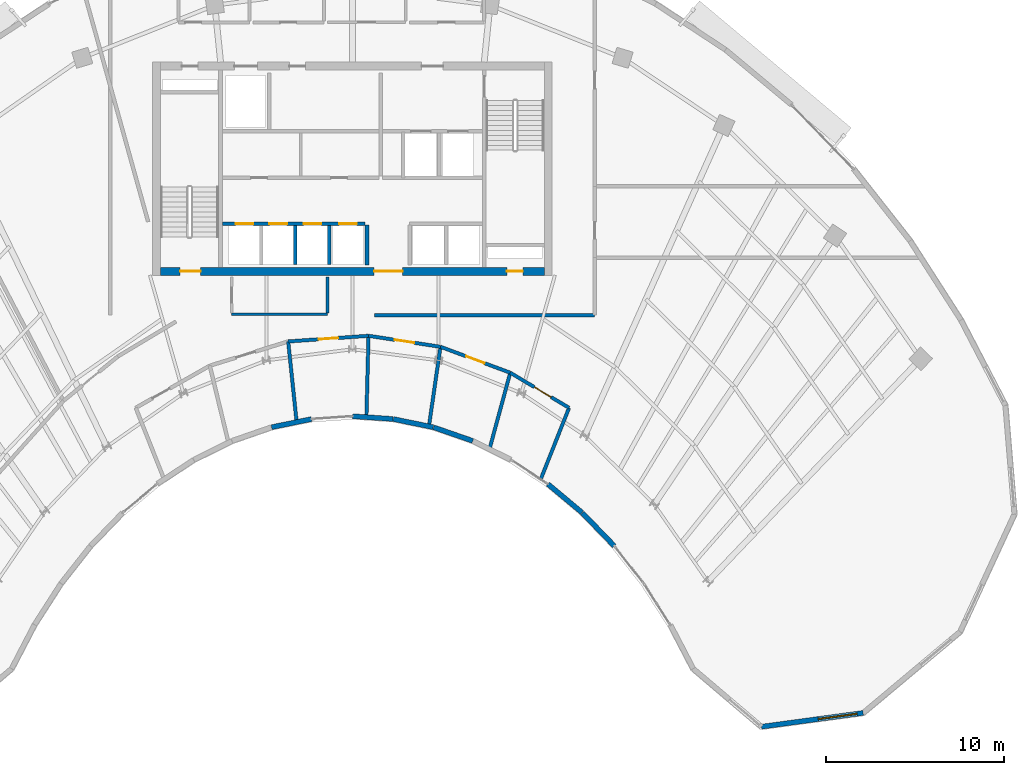
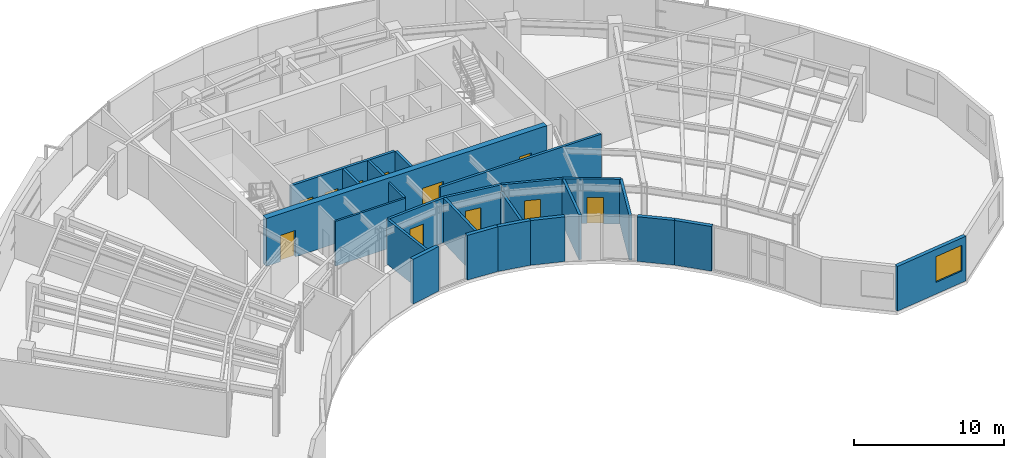
# One storey, part 9 of 14: 24 walls, 11 doors, 1 window, 12 openings.
"""IFC4 building model written with IfcOpenShell, lengths in metres."""

from ifc_helpers import new_model, si_unit, direction, frame, frame_2d, origin, place, context, subcontext, project, spatial, rectangle, extrude, source, transform, mapped, material, layer, layer_set, type_object, type_shapes, element, fill, save


model = new_model("IFC4")

# Units and contexts
model_context = context("Model", 3, precision=1e-05, world=origin(), true_north=direction((0.0, 1.0)))
body_context = subcontext(model_context, "Body", "Model", "MODEL_VIEW")
ifc_project = project(units=[si_unit("LENGTHUNIT", "METRE"), si_unit("AREAUNIT", "SQUARE_METRE"), si_unit("VOLUMEUNIT", "CUBIC_METRE"), si_unit("PLANEANGLEUNIT", "RADIAN"), si_unit("MASSUNIT", "GRAM", prefix="KILO")], contexts=[model_context])

# Site, building, storey
site_placement = place(None, origin())
site = spatial("IfcSite", under=ifc_project, at=site_placement, CompositionType="ELEMENT")
building_placement = place(site_placement, origin())
building = spatial("IfcBuilding", under=site, at=building_placement, Name="Breltana Convention Tower", CompositionType="ELEMENT")
storey_placement = place(building_placement, frame((0.0, 0.0, 219.60009765625)))
storey = spatial("IfcBuildingStorey", under=building, at=storey_placement, Name="L53", CompositionType="ELEMENT", Elevation=219.60009765625)

# Wall, openings, doors
ifc_material_1 = material(Name="Concrete C60/75", Category="concrete")
ifc_layer_1 = layer(ifc_material_1, 0.449951171875, Name="Concrete C60/75")
ifc_layer_set_1 = layer_set([ifc_layer_1], Name="Concrete C60/75")
wall_type_1 = type_object("IfcWallType", Name="SW-CORE-450", PredefinedType="SHEAR", material=ifc_layer_set_1)
shared_shape_1 = source(origin(), body_context, "Body", "SweptSolid", [
    extrude(rectangle(XDim=21.60009765625, YDim=0.449951171875, at=frame_2d((10.800048828125, 0.0))), origin(), (0.0, 0.0, 1.0), 3.89990234375),
])
wall_1_placement = place(storey_placement, frame((37.199951171875, 60.425048828125, 0.0), z_axis=(0.0, 0.0, 1.0), x_axis=(1.0, 0.0, 0.0)))
wall_1 = element("IfcWall", 1, at=wall_1_placement, inside=storey, type_object=wall_type_1, Name="L53 South Core Shear Wall", PredefinedType="SHEAR", context=body_context, shape_type="MappedRepresentation", body=[
    mapped(shared_shape_1, transform((0.0, 0.0, 0.0), scale=1.0)),
])
opening_1_placement = place(wall_1_placement, frame((1.10009765625, 0.0, 0.0)))
opening_1 = element("IfcOpeningElement", 2, at=opening_1_placement, cuts=wall_1, Name="Opening D-11", PredefinedType="OPENING", context=body_context, shape_type="SweptSolid", body=[
    extrude(rectangle(XDim=1.14990234375, YDim=2.14990234375, at=frame_2d((0.574951171875, 1.074951171875))), frame((0.0, 0.23486328125, 0.0), z_axis=(0.0, -1.0, 0.0), x_axis=(1.0, 0.0, 0.0)), (0.0, 0.0, 1.0), 0.469970703125),
])
opening_2_placement = place(wall_1_placement, frame((19.5, 0.0, 0.0)))
opening_2 = element("IfcOpeningElement", 3, at=opening_2_placement, cuts=wall_1, Name="Opening D-18", PredefinedType="OPENING", context=body_context, shape_type="SweptSolid", body=[
    extrude(rectangle(XDim=0.89990234375, YDim=2.10009765625, at=frame_2d((0.449951171875, 1.050048828125))), frame((0.0, 0.23486328125, 0.0), z_axis=(0.0, -1.0, 0.0), x_axis=(1.0, 0.0, 0.0)), (0.0, 0.0, 1.0), 0.469970703125),
])
opening_3_placement = place(wall_1_placement, frame((12.02001953125, 0.0, 0.0)))
opening_3 = element("IfcOpeningElement", 4, at=opening_3_placement, cuts=wall_1, Name="Opening D-02", PredefinedType="OPENING", context=body_context, shape_type="SweptSolid", body=[
    extrude(rectangle(XDim=1.60009765625, YDim=2.14990234375, at=frame_2d((0.800048828125, 1.074951171875))), frame((0.0, 0.23486328125, 0.0), z_axis=(0.0, -1.0, 0.0), x_axis=(1.0, 0.0, 0.0)), (0.0, 0.0, 1.0), 0.469970703125),
])
ifc_material_2 = material(Name="Steel Stair Exit Door", Category="steel")
door_type_1 = type_object("IfcDoorType", Name="DR-FD120-1150", OperationType="NOTDEFINED", PredefinedType="DOOR", material=ifc_material_2)
shared_shape_2 = source(origin(), body_context, "Body", "SweptSolid", [
    extrude(rectangle(XDim=1.14990234375, YDim=2.14990234375, at=frame_2d((0.574951171875, 1.074951171875))), frame((0.0, 0.02490234375, 0.0), z_axis=(0.0, -1.0, 0.0), x_axis=(1.0, 0.0, 0.0)), (0.0, 0.0, 1.0), 0.050048828125),
])
type_shapes(door_type_1, [shared_shape_2])
door_1_placement = place(opening_1_placement, origin())
door_1 = element("IfcDoor", 5, at=door_1_placement, inside=storey, type_object=door_type_1, Name="L53 interior door D-L53-ST1", OperationType="SINGLE_SWING_LEFT", OverallHeight=2.14990234375, OverallWidth=1.14990234375, PredefinedType="DOOR", context=body_context, shape_type="MappedRepresentation", body=[
    mapped(shared_shape_2, transform((0.0, 0.0, 0.0), scale=1.0)),
])
fill(opening_1, door_1)
ifc_material_3 = material(Name="Steel Riser Fire Door", Category="steel")
door_type_2 = type_object("IfcDoorType", Name="DR-FD60-900", OperationType="NOTDEFINED", PredefinedType="DOOR", material=ifc_material_3)
shared_shape_3 = source(origin(), body_context, "Body", "SweptSolid", [
    extrude(rectangle(XDim=0.89990234375, YDim=2.10009765625, at=frame_2d((0.449951171875, 1.050048828125))), frame((0.0, 0.02490234375, 0.0), z_axis=(0.0, -1.0, 0.0), x_axis=(1.0, 0.0, 0.0)), (0.0, 0.0, 1.0), 0.050048828125),
])
type_shapes(door_type_2, [shared_shape_3])
door_2_placement = place(opening_2_placement, origin())
door_2 = element("IfcDoor", 6, at=door_2_placement, inside=storey, type_object=door_type_2, Name="L53 Core Riser Access Door D-L53-RS2", OperationType="SINGLE_SWING_RIGHT", OverallHeight=2.10009765625, OverallWidth=0.89990234375, PredefinedType="DOOR", context=body_context, shape_type="MappedRepresentation", body=[
    mapped(shared_shape_3, transform((0.0, 0.0, 0.0), scale=1.0)),
])
fill(opening_2, door_2)
ifc_material_4 = material(Name="Steel Glazed Smoke-Control Door", Category="steel")
door_type_3 = type_object("IfcDoorType", Name="DR-DBL-FD90-1600", OperationType="DOUBLE_DOOR_SINGLE_SWING", PredefinedType="DOOR", material=ifc_material_4)
shared_shape_4 = source(origin(), body_context, "Body", "SweptSolid", [
    extrude(rectangle(XDim=1.60009765625, YDim=2.14990234375, at=frame_2d((0.800048828125, 1.074951171875))), frame((0.0, 0.02490234375, 0.0), z_axis=(0.0, -1.0, 0.0), x_axis=(1.0, 0.0, 0.0)), (0.0, 0.0, 1.0), 0.050048828125),
])
type_shapes(door_type_3, [shared_shape_4])
door_3_placement = place(opening_3_placement, origin())
door_3 = element("IfcDoor", 7, at=door_3_placement, inside=storey, type_object=door_type_3, Name="L53 interior door D-L53-LLB-S", OperationType="DOUBLE_DOOR_SINGLE_SWING", OverallHeight=2.14990234375, OverallWidth=1.60009765625, PredefinedType="DOOR", context=body_context, shape_type="MappedRepresentation", body=[
    mapped(shared_shape_4, transform((0.0, 0.0, 0.0), scale=1.0)),
])
fill(opening_3, door_3)

# Wall, opening, window
ifc_material_5 = material(Name="Limestone Buff Insulated Wall", Category="masonry")
ifc_layer_2 = layer(ifc_material_5, 0.280029296875, Name="Limestone Buff Insulated Wall")
ifc_layer_set_2 = layer_set([ifc_layer_2], Name="Limestone Buff Insulated Wall")
wall_type_2 = type_object("IfcWallType", Name="WL-EXT-NOSE-280", PredefinedType="SOLIDWALL", material=ifc_layer_set_2)
shared_shape_5 = source(origin(), body_context, "Body", "SweptSolid", [
    extrude(rectangle(XDim=5.771240234375, YDim=0.280029296875, at=frame_2d((2.8857421875, 0.0))), origin(), (0.0, 0.0, 1.0), 3.639892578125),
])
wall_2_placement = place(storey_placement, frame((76.74951171875, 35.559814453125, 0.0), z_axis=(0.0, 0.0, 1.0), x_axis=(-0.990933615537, -0.134352408237, 0.0)))
wall_2 = element("IfcWall", 8, at=wall_2_placement, inside=storey, type_object=wall_type_2, Name="L53 curved limestone nose wall E4", PredefinedType="SOLIDWALL", context=body_context, shape_type="MappedRepresentation", body=[
    mapped(shared_shape_5, transform((0.0, 0.0, 0.0), scale=1.0)),
])
opening_4_placement = place(wall_2_placement, frame((0.343017578125, 0.0, 0.949951171875)))
opening_4 = element("IfcOpeningElement", 9, at=opening_4_placement, cuts=wall_2, Name="Opening W-03", PredefinedType="OPENING", context=body_context, shape_type="SweptSolid", body=[
    extrude(rectangle(XDim=2.199951171875, YDim=2.10009765625, at=frame_2d((1.10009765625, 1.050048828125))), frame((0.0, 0.14990234375, 0.0), z_axis=(0.0, -1.0, 0.0), x_axis=(1.0, 0.0, 0.0)), (0.0, 0.0, 1.0), 0.300048828125),
])
ifc_material_6 = material(Name="Glass Low-E Insulated Window", Category="glass")
window_type = type_object("IfcWindowType", Name="WN-NOSE-2200X2100", PartitioningType="TRIPLE_PANEL_VERTICAL", PredefinedType="WINDOW", material=ifc_material_6)
shared_shape_6 = source(origin(), body_context, "Body", "SweptSolid", [
    extrude(rectangle(XDim=2.199951171875, YDim=2.10009765625, at=frame_2d((1.10009765625, 1.050048828125))), frame((0.0, 0.030029296875, 0.0), z_axis=(0.0, -1.0, 0.0), x_axis=(1.0, 0.0, 0.0)), (0.0, 0.0, 1.0), 0.06005859375),
])
type_shapes(window_type, [shared_shape_6])
window_placement = place(opening_4_placement, origin())
window = element("IfcWindow", 10, at=window_placement, inside=storey, type_object=window_type, Name="L53 nose window E4", OverallHeight=2.10009765625, OverallWidth=2.199951171875, PartitioningType="TRIPLE_PANEL_VERTICAL", PredefinedType="WINDOW", context=body_context, shape_type="MappedRepresentation", body=[
    mapped(shared_shape_6, transform((0.0, 0.0, 0.0), scale=1.0)),
])
fill(opening_4, window)

# Walls
shared_shape_7 = source(origin(), body_context, "Body", "SweptSolid", [
    extrude(rectangle(XDim=2.587646484375, YDim=0.280029296875, at=frame_2d((1.2939453125, 0.0))), origin(), (0.0, 0.0, 1.0), 3.639892578125),
])
wall_3_placement = place(storey_placement, frame((62.739501953125, 44.96630859375, 0.0), z_axis=(0.0, 0.0, 1.0), x_axis=(-0.694687114507, 0.719312041424, 0.0)))
element("IfcWall", 11, at=wall_3_placement, inside=storey, type_object=wall_type_2, Name="L53 curved limestone nose wall E7", PredefinedType="SOLIDWALL", context=body_context, shape_type="MappedRepresentation", body=[
    mapped(shared_shape_7, transform((0.0, 0.0, 0.0), scale=1.0)),
])
shared_shape_8 = source(origin(), body_context, "Body", "SweptSolid", [
    extrude(rectangle(XDim=2.51123046875, YDim=0.280029296875, at=frame_2d((1.255615234375, 0.0))), origin(), (0.0, 0.0, 1.0), 3.639892578125),
])
wall_4_placement = place(storey_placement, frame((60.927734375, 46.8408203125, 0.0), z_axis=(0.0, 0.0, 1.0), x_axis=(-0.767910416122, 0.640557251782, 0.0)))
element("IfcWall", 12, at=wall_4_placement, inside=storey, type_object=wall_type_2, Name="L53 curved limestone nose wall E8", PredefinedType="SOLIDWALL", context=body_context, shape_type="MappedRepresentation", body=[
    mapped(shared_shape_8, transform((0.0, 0.0, 0.0), scale=1.0)),
])
shared_shape_9 = source(origin(), body_context, "Body", "SweptSolid", [
    extrude(rectangle(XDim=2.327880859375, YDim=0.280029296875, at=frame_2d((1.1640625, 0.0))), origin(), (0.0, 0.0, 1.0), 3.639892578125),
])
wall_5_placement = place(storey_placement, frame((54.7724609375, 50.87646484375, 0.0), z_axis=(0.0, 0.0, 1.0), x_axis=(-0.944872545641, 0.32743834915, 0.0)))
element("IfcWall", 13, at=wall_5_placement, inside=storey, type_object=wall_type_2, Name="L53 curved limestone nose wall E10", PredefinedType="SOLIDWALL", context=body_context, shape_type="MappedRepresentation", body=[
    mapped(shared_shape_9, transform((0.0, 0.0, 0.0), scale=1.0)),
])
shared_shape_10 = source(origin(), body_context, "Body", "SweptSolid", [
    extrude(rectangle(XDim=2.2919921875, YDim=0.280029296875, at=frame_2d((1.14599609375, 0.0))), origin(), (0.0, 0.0, 1.0), 3.639892578125),
])
for number, where, z_axis, x_axis, name in (
    (14, (52.55029296875, 51.64501953125, 0.0), (0.0, 0.0, 1.0), (-0.979635482689, 0.200784264963, 0.0), "L53 curved limestone nose wall E11"),
    (15, (45.695068359375, 52.105224609375, 0.0), (0.0, 0.0, 1.0), (-0.979635482689, -0.200784264963, 0.0), "L53 curved limestone nose wall E13"),
):
    element("IfcWall", number, at=place(storey_placement, frame(where, z_axis=z_axis, x_axis=x_axis)), inside=storey, type_object=wall_type_2, Name=name, PredefinedType="SOLIDWALL", context=body_context, shape_type="MappedRepresentation", body=[
        mapped(shared_shape_10, transform((0.0, 0.0, 0.0), scale=1.0)),
    ])
shared_shape_11 = source(origin(), body_context, "Body", "SweptSolid", [
    extrude(rectangle(XDim=2.27392578125, YDim=0.280029296875, at=frame_2d((1.136962890625, 0.0))), origin(), (0.0, 0.0, 1.0), 3.639892578125),
])
wall_6_placement = place(storey_placement, frame((50.281005859375, 52.108642578125, 0.0), z_axis=(0.0, 0.0, 1.0), x_axis=(-0.997702696995, 0.067744582138, 0.0)))
element("IfcWall", 16, at=wall_6_placement, inside=storey, type_object=wall_type_2, Name="L53 curved limestone nose wall E12", PredefinedType="SOLIDWALL", context=body_context, shape_type="MappedRepresentation", body=[
    mapped(shared_shape_11, transform((0.0, 0.0, 0.0), scale=1.0)),
])
ifc_material_7 = material(Name="Autoclaved Aerated Concrete Block", Category="concrete")
ifc_layer_3 = layer(ifc_material_7, 0.199951171875, Name="Autoclaved Aerated Concrete Block")
ifc_layer_set_3 = layer_set([ifc_layer_3], Name="Autoclaved Aerated Concrete Block")
wall_type_3 = type_object("IfcWallType", Name="WL-SHAFT-200", PredefinedType="SOLIDWALL", material=ifc_layer_set_3)
shared_shape_12 = source(origin(), body_context, "Body", "SweptSolid", [
    extrude(rectangle(XDim=2.239990234375, YDim=0.199951171875, at=frame_2d((1.1201171875, 0.0))), origin(), (0.0, 0.0, 1.0), 3.639892578125),
])
wall_7_placement = place(storey_placement, frame((48.820068359375, 60.780029296875, 0.0), z_axis=(0.0, 0.0, 1.0), x_axis=(0.0, 1.0, 0.0)))
element("IfcWall", 17, at=wall_7_placement, inside=storey, type_object=wall_type_3, Name="L53 interior partition W-L53-PORT-W", PredefinedType="SOLIDWALL", context=body_context, shape_type="MappedRepresentation", body=[
    mapped(shared_shape_12, transform((0.0, 0.0, 0.0), scale=1.0)),
])

# Wall, openings, doors
shared_shape_13 = source(origin(), body_context, "Body", "SweptSolid", [
    extrude(rectangle(XDim=8.02001953125, YDim=0.199951171875, at=frame_2d((4.010009765625, 0.0))), origin(), (0.0, 0.0, 1.0), 3.639892578125),
])
wall_8_placement = place(storey_placement, frame((40.699951171875, 63.10009765625, 0.0), z_axis=(0.0, 0.0, 1.0), x_axis=(1.0, 0.0, 0.0)))
wall_8 = element("IfcWall", 18, at=wall_8_placement, inside=storey, type_object=wall_type_3, Name="L53 interior partition W-L53-SH-S-FRONT", PredefinedType="SOLIDWALL", context=body_context, shape_type="MappedRepresentation", body=[
    mapped(shared_shape_13, transform((0.0, 0.0, 0.0), scale=1.0)),
])
opening_5_placement = place(wall_8_placement, frame((0.719970703125, 0.0, 0.0)))
opening_5 = element("IfcOpeningElement", 19, at=opening_5_placement, cuts=wall_8, Name="Opening LD-04", PredefinedType="OPENING", context=body_context, shape_type="SweptSolid", body=[
    extrude(rectangle(XDim=1.0, YDim=2.14990234375, at=frame_2d((0.5, 1.074951171875))), frame((0.0, 0.10986328125, 0.0), z_axis=(0.0, -1.0, 0.0), x_axis=(1.0, 0.0, 0.0)), (0.0, 0.0, 1.0), 0.219970703125),
])
opening_6_placement = place(wall_8_placement, frame((2.6201171875, 0.0, 0.0)))
opening_6 = element("IfcOpeningElement", 20, at=opening_6_placement, cuts=wall_8, Name="Opening LD-04", PredefinedType="OPENING", context=body_context, shape_type="SweptSolid", body=[
    extrude(rectangle(XDim=1.0, YDim=2.14990234375, at=frame_2d((0.5, 1.074951171875))), frame((0.0, 0.10986328125, 0.0), z_axis=(0.0, -1.0, 0.0), x_axis=(1.0, 0.0, 0.0)), (0.0, 0.0, 1.0), 0.219970703125),
])
opening_7_placement = place(wall_8_placement, frame((4.550048828125, 0.0, 0.0)))
opening_7 = element("IfcOpeningElement", 21, at=opening_7_placement, cuts=wall_8, Name="Opening LD-04", PredefinedType="OPENING", context=body_context, shape_type="SweptSolid", body=[
    extrude(rectangle(XDim=1.0, YDim=2.14990234375, at=frame_2d((0.5, 1.074951171875))), frame((0.0, 0.10986328125, 0.0), z_axis=(0.0, -1.0, 0.0), x_axis=(1.0, 0.0, 0.0)), (0.0, 0.0, 1.0), 0.219970703125),
])
opening_8_placement = place(wall_8_placement, frame((6.550048828125, 0.0, 0.0)))
opening_8 = element("IfcOpeningElement", 22, at=opening_8_placement, cuts=wall_8, Name="Opening LD-04", PredefinedType="OPENING", context=body_context, shape_type="SweptSolid", body=[
    extrude(rectangle(XDim=1.0, YDim=2.14990234375, at=frame_2d((0.5, 1.074951171875))), frame((0.0, 0.10986328125, 0.0), z_axis=(0.0, -1.0, 0.0), x_axis=(1.0, 0.0, 0.0)), (0.0, 0.0, 1.0), 0.219970703125),
])
ifc_material_8 = material(Name="Stainless Steel Brushed", Category="steel")
door_type_4 = type_object("IfcDoorType", Name="DR-LD-PAX-1000", OperationType="DOUBLE_DOOR_SLIDING", PredefinedType="DOOR", material=ifc_material_8)
shared_shape_14 = source(origin(), body_context, "Body", "SweptSolid", [
    extrude(rectangle(XDim=1.0, YDim=2.14990234375, at=frame_2d((0.5, 1.074951171875))), frame((0.0, 0.02490234375, 0.0), z_axis=(0.0, -1.0, 0.0), x_axis=(1.0, 0.0, 0.0)), (0.0, 0.0, 1.0), 0.050048828125),
])
type_shapes(door_type_4, [shared_shape_14])
door_4_placement = place(opening_5_placement, origin())
door_4 = element("IfcDoor", 23, at=door_4_placement, inside=storey, type_object=door_type_4, Name="L53 Lift Landing Door D-L53-LD-S1", OperationType="DOUBLE_DOOR_SLIDING", OverallHeight=2.14990234375, OverallWidth=1.0, PredefinedType="DOOR", context=body_context, shape_type="MappedRepresentation", body=[
    mapped(shared_shape_14, transform((0.0, 0.0, 0.0), scale=1.0)),
])
fill(opening_5, door_4)
door_5_placement = place(opening_6_placement, origin())
door_5 = element("IfcDoor", 24, at=door_5_placement, inside=storey, type_object=door_type_4, Name="L53 Lift Landing Door D-L53-LD-S2", OperationType="DOUBLE_DOOR_SLIDING", OverallHeight=2.14990234375, OverallWidth=1.0, PredefinedType="DOOR", context=body_context, shape_type="MappedRepresentation", body=[
    mapped(shared_shape_14, transform((0.0, 0.0, 0.0), scale=1.0)),
])
fill(opening_6, door_5)
door_6_placement = place(opening_7_placement, origin())
door_6 = element("IfcDoor", 25, at=door_6_placement, inside=storey, type_object=door_type_4, Name="L53 Lift Landing Door D-L53-LD-S3", OperationType="DOUBLE_DOOR_SLIDING", OverallHeight=2.14990234375, OverallWidth=1.0, PredefinedType="DOOR", context=body_context, shape_type="MappedRepresentation", body=[
    mapped(shared_shape_14, transform((0.0, 0.0, 0.0), scale=1.0)),
])
fill(opening_7, door_6)
door_7_placement = place(opening_8_placement, origin())
door_7 = element("IfcDoor", 26, at=door_7_placement, inside=storey, type_object=door_type_4, Name="L53 Lift Landing Door D-L53-LD-S4", OperationType="DOUBLE_DOOR_SLIDING", OverallHeight=2.14990234375, OverallWidth=1.0, PredefinedType="DOOR", context=body_context, shape_type="MappedRepresentation", body=[
    mapped(shared_shape_14, transform((0.0, 0.0, 0.0), scale=1.0)),
])
fill(opening_8, door_7)

# Walls
shared_shape_15 = source(origin(), body_context, "Body", "SweptSolid", [
    extrude(rectangle(XDim=2.199951171875, YDim=0.199951171875, at=frame_2d((1.10009765625, 0.0))), origin(), (0.0, 0.0, 1.0), 3.639892578125),
])
for number, where, z_axis, x_axis, name in (
    (27, (44.77001953125, 60.800048828125, 0.0), (0.0, 0.0, 1.0), (0.0, 1.0, 0.0), "L53 interior partition W-L53-SH-S-DIV2"),
    (28, (46.699951171875, 60.800048828125, 0.0), (0.0, 0.0, 1.0), (0.0, 1.0, 0.0), "L53 interior partition W-L53-SH-S-DIV3"),
):
    element("IfcWall", number, at=place(storey_placement, frame(where, z_axis=z_axis, x_axis=x_axis)), inside=storey, type_object=wall_type_3, Name=name, PredefinedType="SOLIDWALL", context=body_context, shape_type="MappedRepresentation", body=[
        mapped(shared_shape_15, transform((0.0, 0.0, 0.0), scale=1.0)),
    ])
ifc_material_9 = material(Name="Gypsum Acoustic Hotel Wall")
ifc_layer_4 = layer(ifc_material_9, 0.195068359375, Name="Gypsum Acoustic Hotel Wall")
ifc_layer_set_4 = layer_set([ifc_layer_4], Name="Gypsum Acoustic Hotel Wall")
wall_type_4 = type_object("IfcWallType", Name="WL-HOTEL-200", PredefinedType="PARTITIONING", material=ifc_layer_set_4)
shared_shape_16 = source(origin(), body_context, "Body", "SweptSolid", [
    extrude(rectangle(XDim=4.515869140625, YDim=0.195068359375, at=frame_2d((2.2578125, 0.0))), origin(), (0.0, 0.0, 1.0), 3.0849609375),
])
wall_9_placement = place(storey_placement, frame((52.30908203125, 51.70458984375, 0.0), z_axis=(0.0, 0.0, 1.0), x_axis=(0.143540347267, 0.989644465809, 0.0)))
element("IfcWall", 29, at=wall_9_placement, inside=storey, type_object=wall_type_4, Name="L53 interior partition W-L53-ES4-RB", PredefinedType="PARTITIONING", context=body_context, shape_type="MappedRepresentation", body=[
    mapped(shared_shape_16, transform((0.0, 0.0, 0.0), scale=1.0)),
])
ifc_material_10 = material(Name="Gypsum Acoustic Drywall Partition")
ifc_layer_5 = layer(ifc_material_10, 0.14990234375, Name="Gypsum Acoustic Drywall Partition")
ifc_layer_set_5 = layer_set([ifc_layer_5], Name="Gypsum Acoustic Drywall Partition")
wall_type_5 = type_object("IfcWallType", Name="WL-PART-150", PredefinedType="PARTITIONING", material=ifc_layer_set_5)
shared_shape_17 = source(origin(), body_context, "Body", "SweptSolid", [
    extrude(rectangle(XDim=5.400146484375, YDim=0.14990234375, at=frame_2d((2.7001953125, 0.0))), origin(), (0.0, 0.0, 1.0), 3.639892578125),
])
wall_10_placement = place(storey_placement, frame((41.199951171875, 58.0, 0.0), z_axis=(0.0, 0.0, 1.0), x_axis=(1.0, 0.0, 0.0)))
element("IfcWall", 30, at=wall_10_placement, inside=storey, type_object=wall_type_5, Name="L53 interior partition W-L53-CRSC-S", PredefinedType="PARTITIONING", context=body_context, shape_type="MappedRepresentation", body=[
    mapped(shared_shape_17, transform((0.0, 0.0, 0.0), scale=1.0)),
])
shared_shape_18 = source(origin(), body_context, "Body", "SweptSolid", [
    extrude(rectangle(XDim=2.03271484375, YDim=0.14990234375, at=frame_2d((1.016357421875, 0.0))), origin(), (0.0, 0.0, 1.0), 3.639892578125),
])
wall_11_placement = place(storey_placement, frame((46.60009765625, 58.0673828125, 0.0), z_axis=(0.0, 0.0, 1.0), x_axis=(0.0, 1.0, 0.0)))
element("IfcWall", 31, at=wall_11_placement, inside=storey, type_object=wall_type_5, Name="L53 interior partition W-L53-CRSC-E", PredefinedType="PARTITIONING", context=body_context, shape_type="MappedRepresentation", body=[
    mapped(shared_shape_18, transform((0.0, 0.0, 0.0), scale=1.0)),
])
shared_shape_19 = source(origin(), body_context, "Body", "SweptSolid", [
    extrude(rectangle(XDim=4.3203125, YDim=0.195068359375, at=frame_2d((2.16015625, 0.0))), origin(), (0.0, 0.0, 1.0), 3.639892578125),
])
wall_12_placement = place(storey_placement, frame((58.603515625, 48.72265625, 0.0), z_axis=(0.0, 0.0, 1.0), x_axis=(0.368846295269, 0.929490403644, 0.0)))
element("IfcWall", 32, at=wall_12_placement, inside=storey, type_object=wall_type_4, Name="L53 interior partition W-L53-ES6-RB", PredefinedType="PARTITIONING", context=body_context, shape_type="MappedRepresentation", body=[
    mapped(shared_shape_19, transform((0.0, 0.0, 0.0), scale=1.0)),
])
shared_shape_20 = source(origin(), body_context, "Body", "SweptSolid", [
    extrude(rectangle(XDim=4.55517578125, YDim=0.195068359375, at=frame_2d((2.277587890625, 0.0))), origin(), (0.0, 0.0, 1.0), 3.639892578125),
])
wall_13_placement = place(storey_placement, frame((44.859375, 51.944091796875, 0.0), z_axis=(0.0, 0.0, 1.0), x_axis=(-0.104299759329, 0.994545906534, 0.0)))
element("IfcWall", 33, at=wall_13_placement, inside=storey, type_object=wall_type_4, Name="L53 interior partition W-L53-ES2-RB", PredefinedType="PARTITIONING", context=body_context, shape_type="MappedRepresentation", body=[
    mapped(shared_shape_20, transform((0.0, 0.0, 0.0), scale=1.0)),
])

# Wall, opening, door
shared_shape_21 = source(origin(), body_context, "Body", "SweptSolid", [
    extrude(rectangle(XDim=4.53369140625, YDim=0.195068359375, at=frame_2d((2.266845703125, 0.0))), origin(), (0.0, 0.0, 1.0), 3.639892578125),
])
wall_14_placement = place(storey_placement, frame((44.38427734375, 56.474365234375, 0.0), z_axis=(0.0, 0.0, 1.0), x_axis=(0.997542735031, 0.070060629361, 0.0)))
wall_14 = element("IfcWall", 34, at=wall_14_placement, inside=storey, type_object=wall_type_4, Name="L53 interior partition W-L53-ES3-COR", PredefinedType="PARTITIONING", context=body_context, shape_type="MappedRepresentation", body=[
    mapped(shared_shape_21, transform((0.0, 0.0, 0.0), scale=1.0)),
])
opening_9_placement = place(wall_14_placement, frame((1.716796875, 0.0, 0.0)))
opening_9 = element("IfcOpeningElement", 35, at=opening_9_placement, cuts=wall_14, Name="Opening D-12", PredefinedType="OPENING", context=body_context, shape_type="SweptSolid", body=[
    extrude(rectangle(XDim=1.10009765625, YDim=2.14990234375, at=frame_2d((0.550048828125, 1.074951171875))), frame((0.0, 0.107421875, 0.0), z_axis=(0.0, -1.0, 0.0), x_axis=(1.0, 0.0, 0.0)), (0.0, 0.0, 1.0), 0.215087890625),
])
ifc_material_11 = material(Name="Timber Oak Acoustic Door", Category="wood")
door_type_5 = type_object("IfcDoorType", Name="DR-INT-1100", OperationType="NOTDEFINED", PredefinedType="DOOR", material=ifc_material_11)
shared_shape_22 = source(origin(), body_context, "Body", "SweptSolid", [
    extrude(rectangle(XDim=1.10009765625, YDim=2.14990234375, at=frame_2d((0.550048828125, 1.074951171875))), frame((0.0, 0.02490234375, 0.0), z_axis=(0.0, -1.0, 0.0), x_axis=(1.0, 0.0, 0.0)), (0.0, 0.0, 1.0), 0.050048828125),
])
type_shapes(door_type_5, [shared_shape_22])
door_8_placement = place(opening_9_placement, origin())
door_8 = element("IfcDoor", 36, at=door_8_placement, inside=storey, type_object=door_type_5, Name="L53 interior door D-L53-ES3", OperationType="SINGLE_SWING_LEFT", OverallHeight=2.14990234375, OverallWidth=1.10009765625, PredefinedType="DOOR", context=body_context, shape_type="MappedRepresentation", body=[
    mapped(shared_shape_22, transform((0.0, 0.0, 0.0), scale=1.0)),
])
fill(opening_9, door_8)

# Wall
shared_shape_23 = source(origin(), body_context, "Body", "SweptSolid", [
    extrude(rectangle(XDim=4.573486328125, YDim=0.195068359375, at=frame_2d((2.28662109375, 0.0))), origin(), (0.0, 0.0, 1.0), 3.639892578125),
])
wall_15_placement = place(storey_placement, frame((48.78759765625, 52.219970703125, 0.0), z_axis=(0.0, 0.0, 1.0), x_axis=(0.026049788838, 0.99966064667, 0.0)))
element("IfcWall", 37, at=wall_15_placement, inside=storey, type_object=wall_type_4, Name="L53 interior partition W-L53-ES3-RB", PredefinedType="PARTITIONING", context=body_context, shape_type="MappedRepresentation", body=[
    mapped(shared_shape_23, transform((0.0, 0.0, 0.0), scale=1.0)),
])

# Wall, opening, door
shared_shape_24 = source(origin(), body_context, "Body", "SweptSolid", [
    extrude(rectangle(XDim=4.097412109375, YDim=0.195068359375, at=frame_2d((2.048828125, 0.0))), origin(), (0.0, 0.0, 1.0), 3.639892578125),
])
wall_16_placement = place(storey_placement, frame((48.90673828125, 56.7919921875, 0.0), z_axis=(0.0, 0.0, 1.0), x_axis=(0.988545320847, -0.150924314249, 0.0)))
wall_16 = element("IfcWall", 38, at=wall_16_placement, inside=storey, type_object=wall_type_4, Name="L53 interior partition W-L53-ES4-COR", PredefinedType="PARTITIONING", context=body_context, shape_type="MappedRepresentation", body=[
    mapped(shared_shape_24, transform((0.0, 0.0, 0.0), scale=1.0)),
])
opening_10_placement = place(wall_16_placement, frame((1.498779296875, 0.0, 0.0)))
opening_10 = element("IfcOpeningElement", 39, at=opening_10_placement, cuts=wall_16, Name="Opening D-12", PredefinedType="OPENING", context=body_context, shape_type="SweptSolid", body=[
    extrude(rectangle(XDim=1.10009765625, YDim=2.14990234375, at=frame_2d((0.550048828125, 1.074951171875))), frame((0.0, 0.107421875, 0.0), z_axis=(0.0, -1.0, 0.0), x_axis=(1.0, 0.0, 0.0)), (0.0, 0.0, 1.0), 0.215087890625),
])
door_9_placement = place(opening_10_placement, origin())
door_9 = element("IfcDoor", 40, at=door_9_placement, inside=storey, type_object=door_type_5, Name="L53 interior door D-L53-ES4", OperationType="SINGLE_SWING_RIGHT", OverallHeight=2.14990234375, OverallWidth=1.10009765625, PredefinedType="DOOR", context=body_context, shape_type="MappedRepresentation", body=[
    mapped(shared_shape_22, transform((0.0, 0.0, 0.0), scale=1.0)),
])
fill(opening_10, door_9)

shared_shape_25 = source(origin(), body_context, "Body", "SweptSolid", [
    extrude(rectangle(XDim=4.19091796875, YDim=0.195068359375, at=frame_2d((2.095458984375, 0.0))), origin(), (0.0, 0.0, 1.0), 3.639892578125),
])
wall_17_placement = place(storey_placement, frame((52.957275390625, 56.173583984375, 0.0), z_axis=(0.0, 0.0, 1.0), x_axis=(0.937361695407, -0.348357649527, 0.0)))
wall_17 = element("IfcWall", 41, at=wall_17_placement, inside=storey, type_object=wall_type_4, Name="L53 interior partition W-L53-ES5-COR", PredefinedType="PARTITIONING", context=body_context, shape_type="MappedRepresentation", body=[
    mapped(shared_shape_25, transform((0.0, 0.0, 0.0), scale=1.0)),
])
opening_11_placement = place(wall_17_placement, frame((1.54541015625, 0.0, 0.0)))
opening_11 = element("IfcOpeningElement", 42, at=opening_11_placement, cuts=wall_17, Name="Opening D-12", PredefinedType="OPENING", context=body_context, shape_type="SweptSolid", body=[
    extrude(rectangle(XDim=1.10009765625, YDim=2.14990234375, at=frame_2d((0.550048828125, 1.074951171875))), frame((0.0, 0.107421875, 0.0), z_axis=(0.0, -1.0, 0.0), x_axis=(1.0, 0.0, 0.0)), (0.0, 0.0, 1.0), 0.215087890625),
])
door_10_placement = place(opening_11_placement, origin())
door_10 = element("IfcDoor", 43, at=door_10_placement, inside=storey, type_object=door_type_5, Name="L53 interior door D-L53-ES5", OperationType="SINGLE_SWING_LEFT", OverallHeight=2.14990234375, OverallWidth=1.10009765625, PredefinedType="DOOR", context=body_context, shape_type="MappedRepresentation", body=[
    mapped(shared_shape_22, transform((0.0, 0.0, 0.0), scale=1.0)),
])
fill(opening_11, door_10)

# Wall
shared_shape_26 = source(origin(), body_context, "Body", "SweptSolid", [
    extrude(rectangle(XDim=4.44921875, YDim=0.195068359375, at=frame_2d((2.224609375, 0.0))), origin(), (0.0, 0.0, 1.0), 3.639892578125),
])
wall_18_placement = place(storey_placement, frame((55.719482421875, 50.419921875, 0.0), z_axis=(0.0, 0.0, 1.0), x_axis=(0.262123660516, 0.965034292965, 0.0)))
element("IfcWall", 44, at=wall_18_placement, inside=storey, type_object=wall_type_4, Name="L53 interior partition W-L53-ES5-RB", PredefinedType="PARTITIONING", context=body_context, shape_type="MappedRepresentation", body=[
    mapped(shared_shape_26, transform((0.0, 0.0, 0.0), scale=1.0)),
])

# Wall, opening, door
shared_shape_27 = source(origin(), body_context, "Body", "SweptSolid", [
    extrude(rectangle(XDim=3.855712890625, YDim=0.195068359375, at=frame_2d((1.927734375, 0.0))), origin(), (0.0, 0.0, 1.0), 3.639892578125),
])
wall_19_placement = place(storey_placement, frame((56.8857421875, 54.713623046875, 0.0), z_axis=(0.0, 0.0, 1.0), x_axis=(0.858797511375, -0.512315171019, 0.0)))
wall_19 = element("IfcWall", 45, at=wall_19_placement, inside=storey, type_object=wall_type_4, Name="L53 interior partition W-L53-ES6-COR", PredefinedType="PARTITIONING", context=body_context, shape_type="MappedRepresentation", body=[
    mapped(shared_shape_27, transform((0.0, 0.0, 0.0), scale=1.0)),
])
opening_12_placement = place(wall_19_placement, frame((1.577880859375, 0.0, 0.0)))
opening_12 = element("IfcOpeningElement", 46, at=opening_12_placement, cuts=wall_19, Name="Opening D-12", PredefinedType="OPENING", context=body_context, shape_type="SweptSolid", body=[
    extrude(rectangle(XDim=1.10009765625, YDim=2.14990234375, at=frame_2d((0.550048828125, 1.074951171875))), frame((0.0, 0.107421875, 0.0), z_axis=(0.0, -1.0, 0.0), x_axis=(1.0, 0.0, 0.0)), (0.0, 0.0, 1.0), 0.215087890625),
])
door_11_placement = place(opening_12_placement, origin())
door_11 = element("IfcDoor", 47, at=door_11_placement, inside=storey, type_object=door_type_5, Name="L53 interior door D-L53-ES6", OperationType="SINGLE_SWING_RIGHT", OverallHeight=2.14990234375, OverallWidth=1.10009765625, PredefinedType="DOOR", context=body_context, shape_type="MappedRepresentation", body=[
    mapped(shared_shape_22, transform((0.0, 0.0, 0.0), scale=1.0)),
])
fill(opening_12, door_11)

# Wall
shared_shape_28 = source(origin(), body_context, "Body", "SweptSolid", [
    extrude(rectangle(XDim=12.389892578125, YDim=0.195068359375, at=frame_2d((6.19482421875, 0.0))), origin(), (0.0, 0.0, 1.0), 3.639892578125),
])
wall_20_placement = place(storey_placement, frame((49.25, 57.9599609375, 0.0), z_axis=(0.0, 0.0, 1.0), x_axis=(1.0, 0.0, 0.0)))
element("IfcWall", 48, at=wall_20_placement, inside=storey, type_object=wall_type_4, Name="L53 interior partition W-L53-Z45-CSE", PredefinedType="PARTITIONING", context=body_context, shape_type="MappedRepresentation", body=[
    mapped(shared_shape_28, transform((0.0, 0.0, 0.0), scale=1.0)),
])

save(model, "model.ifc")
